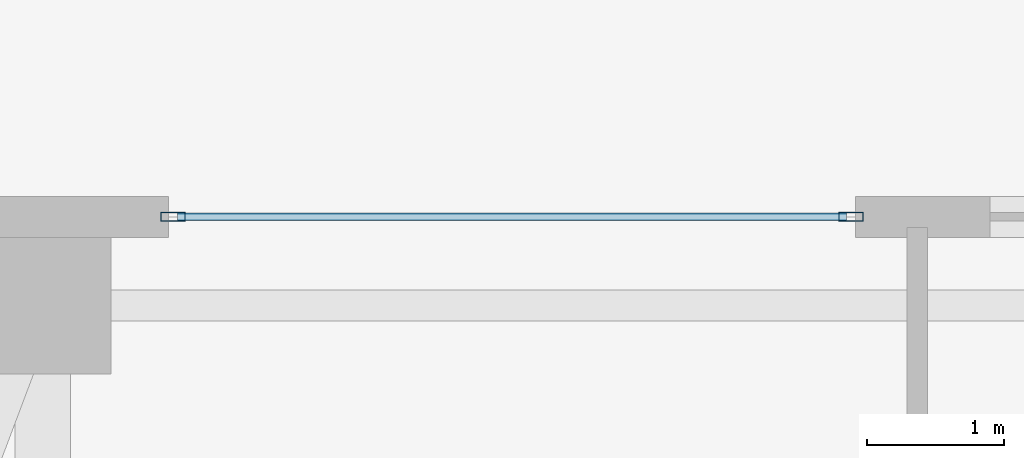
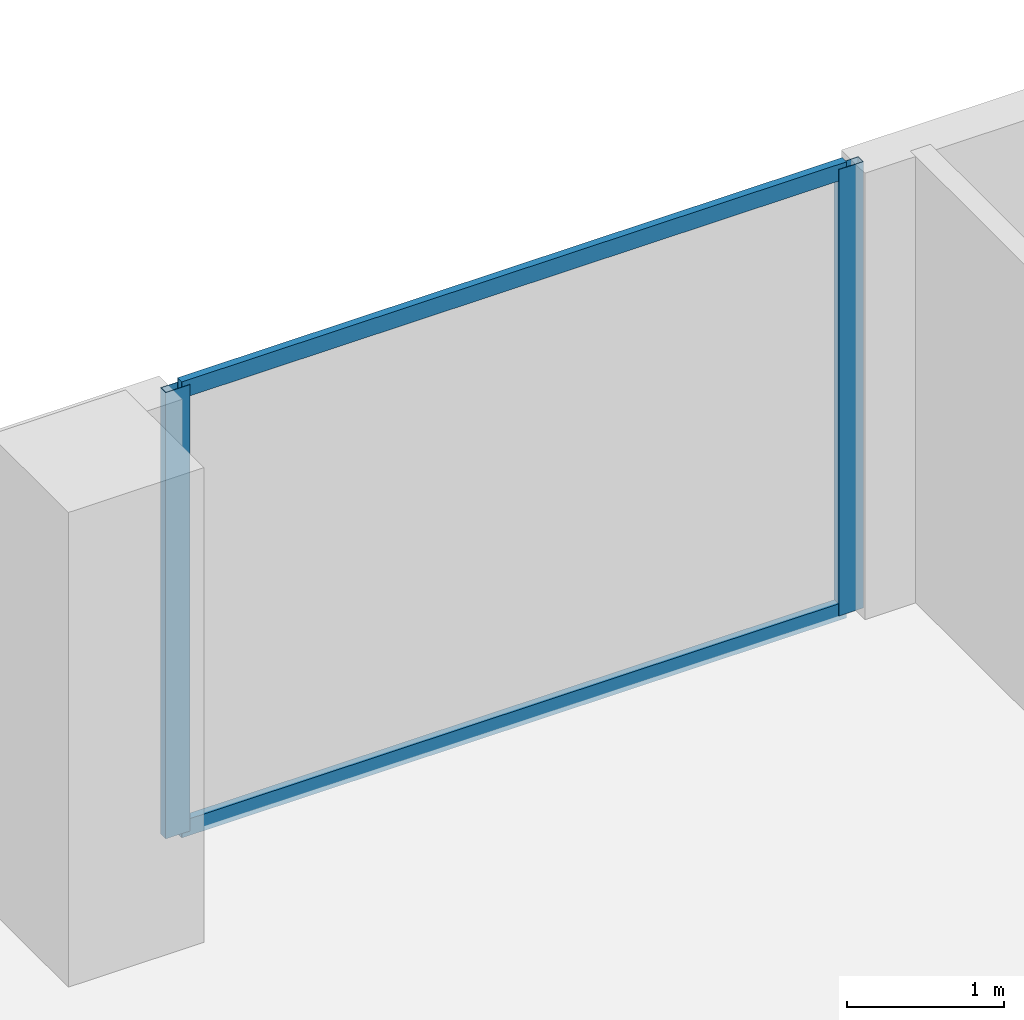
# One storey, part 12 of 23: 4 members, 1 element without a shape of its own.
"""IFC4 building model written with IfcOpenShell, lengths in metres."""

from ifc_helpers import new_model, si_unit, direction, frame, origin, origin_2d, place, context, subcontext, project, spatial, hollow_rectangle, extrude, material, layer, layer_set, material_profile, profile_set, type_object, element, aggregate, save


model = new_model("IFC4")

# Units and contexts
model_context = context("Model", 3, precision=1e-05, world=origin(), true_north=direction((0.0, 1.0)))
body_context = subcontext(model_context, "Body", "Model", "MODEL_VIEW")
ifc_project = project(units=[si_unit("LENGTHUNIT", "METRE"), si_unit("AREAUNIT", "SQUARE_METRE"), si_unit("VOLUMEUNIT", "CUBIC_METRE"), si_unit("PLANEANGLEUNIT", "RADIAN"), si_unit("MASSUNIT", "GRAM", prefix="KILO")], contexts=[model_context])

# Site, building, storey
site_placement = place(None, origin())
site = spatial("IfcSite", under=ifc_project, at=site_placement, CompositionType="ELEMENT")
building_placement = place(site_placement, origin())
building = spatial("IfcBuilding", under=site, at=building_placement, Name="Zuhayl Quay Hotel", CompositionType="ELEMENT")
storey_placement = place(building_placement, frame((0.0, 0.0, 265.550048828125)))
storey = spatial("IfcBuildingStorey", under=building, at=storey_placement, Name="L67", CompositionType="ELEMENT", Elevation=265.550048828125)

# Curtain wall, members
ifc_material_1 = material(Name="Anodised Aluminium 6063-T6", Category="aluminium")
ifc_layer = layer(ifc_material_1, 0.169921875, Name="Anodised Aluminium 6063-T6", Category="aluminium")
ifc_layer_set = layer_set([ifc_layer], Name="Anodised Aluminium 6063-T6")
curtain_wall_type = type_object("IfcCurtainWallType", Name="CW_SYS_Z4", PredefinedType="USERDEFINED", material=ifc_layer_set)
curtain_wall_placement = place(storey_placement, origin())
curtain_wall = element("IfcCurtainWall", 1, at=curtain_wall_placement, inside=storey, type_object=curtain_wall_type, Name="L67 Curtain Wall ENV_L67_N_CW1", ObjectType="UNITISED CURTAIN WALL", PredefinedType="USERDEFINED")
ifc_material_2 = material(Name="Black-anodised aluminium 6063-T6", Category="aluminium")
ifc_material_profile_1 = material_profile(ifc_material_2, hollow_rectangle(XDim=0.06494140625, YDim=0.179931640625, WallThickness=0.00341796875, at=origin_2d()), Name="ALU180X65")
ifc_profile_set_1 = profile_set([ifc_material_profile_1], Name="Black-anodised aluminium 6063-T6")
member_type_1 = type_object("IfcMemberType", Name="MB_CW_MUL_180", PredefinedType="MULLION", material=ifc_profile_set_1)
member_1_placement = place(storey_placement, frame((-12.847412109375, 39.0, 0.0), z_axis=(0.0, 0.0, 1.0), x_axis=(0.0, 1.0, 0.0)))
member_1 = element("IfcMember", 2, at=member_1_placement, type_object=member_type_1, Name="CW-Z4 mullion 1", PredefinedType="MULLION", context=body_context, shape_type="SweptSolid", body=[
    extrude(hollow_rectangle(XDim=0.06494140625, YDim=0.179931640625, WallThickness=0.00341796875, at=origin_2d()), origin(), (0.0, 0.0, 1.0), 3.47998046875),
])
member_2_placement = place(storey_placement, frame((-7.882568359375, 39.0, 0.0), z_axis=(0.0, 0.0, 1.0), x_axis=(0.0, 1.0, 0.0)))
member_2 = element("IfcMember", 3, at=member_2_placement, type_object=member_type_1, Name="CW-Z4 mullion 2", PredefinedType="MULLION", context=body_context, shape_type="SweptSolid", body=[
    extrude(hollow_rectangle(XDim=0.06494140625, YDim=0.179931640625, WallThickness=0.00341796875, at=origin_2d()), origin(), (0.0, 0.0, 1.0), 3.47998046875),
])
ifc_material_profile_2 = material_profile(ifc_material_2, hollow_rectangle(XDim=0.054931640625, YDim=0.1298828125, WallThickness=0.0029296875, at=origin_2d()), Name="ALU130X55")
ifc_profile_set_2 = profile_set([ifc_material_profile_2], Name="Black-anodised aluminium 6063-T6")
member_type_2 = type_object("IfcMemberType", Name="MB_CW_TRN_130", PredefinedType="USERDEFINED", material=ifc_profile_set_2)
member_3_placement = place(storey_placement, frame((-12.81494140625, 39.0, 0.02734375), z_axis=(1.0, 0.0, 0.0), x_axis=(0.0, 1.0, 0.0)))
member_3 = element("IfcMember", 4, at=member_3_placement, type_object=member_type_2, Name="CW-Z4 transom 1.1", ObjectType="TRANSOM", PredefinedType="USERDEFINED", context=body_context, shape_type="SweptSolid", body=[
    extrude(hollow_rectangle(XDim=0.054931640625, YDim=0.1298828125, WallThickness=0.0029296875, at=origin_2d()), origin(), (0.0, 0.0, 1.0), 4.89990234375),
])
member_4_placement = place(storey_placement, frame((-12.81494140625, 39.0, 3.452392578125), z_axis=(1.0, 0.0, 0.0), x_axis=(0.0, 1.0, 0.0)))
member_4 = element("IfcMember", 5, at=member_4_placement, type_object=member_type_2, Name="CW-Z4 transom 1.2", ObjectType="TRANSOM", PredefinedType="USERDEFINED", context=body_context, shape_type="SweptSolid", body=[
    extrude(hollow_rectangle(XDim=0.054931640625, YDim=0.1298828125, WallThickness=0.0029296875, at=origin_2d()), origin(), (0.0, 0.0, 1.0), 4.89990234375),
])
aggregate(curtain_wall, [member_1, member_2, member_3, member_4])

save(model, "model.ifc")
